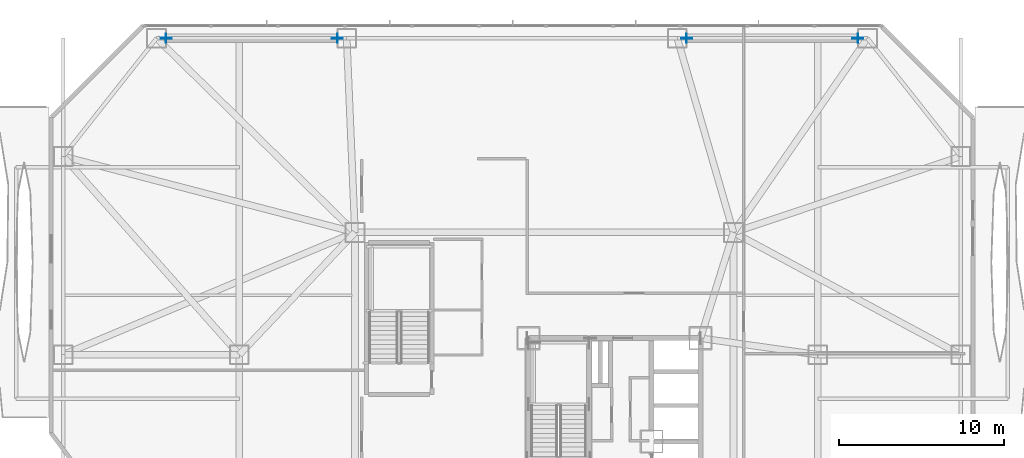
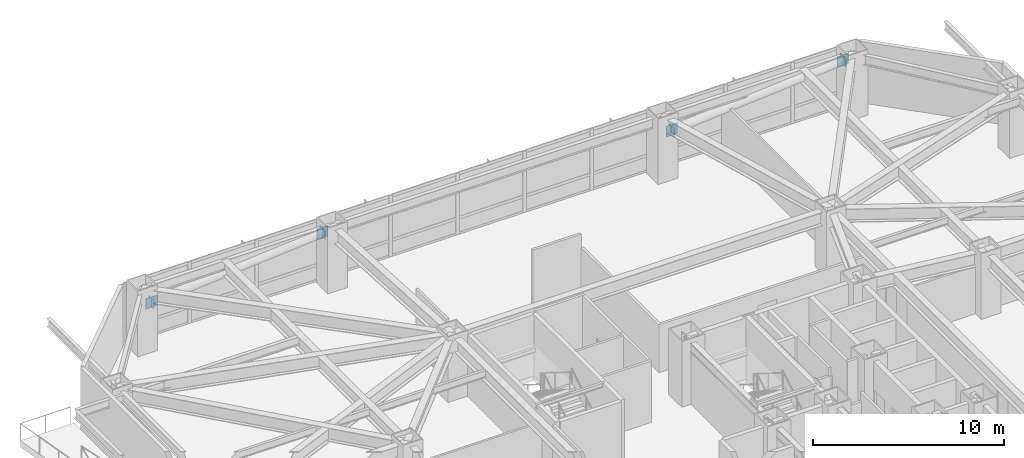
# One storey, part 15 of 24: 8 plates.
"""IFC4 building model written with IfcOpenShell, lengths in metres."""

from ifc_helpers import new_model, si_unit, direction, frame, origin, origin_2d, place, context, subcontext, project, spatial, rectangle, extrude, material, layer, layer_set, type_object, element, save


model = new_model("IFC4")

# Units and contexts
model_context = context("Model", 3, precision=1e-05, world=origin(), true_north=direction((0.0, 1.0)))
body_context = subcontext(model_context, "Body", "Model", "MODEL_VIEW")
ifc_project = project(units=[si_unit("LENGTHUNIT", "METRE"), si_unit("AREAUNIT", "SQUARE_METRE"), si_unit("VOLUMEUNIT", "CUBIC_METRE"), si_unit("PLANEANGLEUNIT", "RADIAN"), si_unit("MASSUNIT", "GRAM", prefix="KILO")], contexts=[model_context])

# Site, building, storey
site_placement = place(None, origin())
site = spatial("IfcSite", under=ifc_project, at=site_placement, CompositionType="ELEMENT")
building_placement = place(site_placement, origin())
building = spatial("IfcBuilding", under=site, at=building_placement, Name="Khamvora Tower", CompositionType="ELEMENT")
storey_placement = place(building_placement, frame((0.0, 0.0, 20.39990234375)))
storey = spatial("IfcBuildingStorey", under=building, at=storey_placement, Name="L04", CompositionType="ELEMENT", Elevation=20.39990234375)

# Plates
ifc_material_1 = material(Name="Steel S355", Category="steel")
ifc_layer_1 = layer(ifc_material_1, 0.02490234375)
ifc_layer_set_1 = layer_set([ifc_layer_1], Name="Steel S355")
plate_type_1 = type_object("IfcPlateType", Name="PL-CAP-25", PredefinedType="SHEET", material=ifc_layer_set_1)
for number, where, z_axis, x_axis, name in (
    (1, (7.06591796875, 55.14990234375, 2.44189453125), (0.0, 0.0, 1.0), (1.0, 0.0, 0.0), "L04 hollow section steel end cap plate 0440"),
    (2, (17.43408203125, 55.14990234375, 3.2822265625), (0.0, 0.0, 1.0), (1.0, 0.0, 0.0), "L04 hollow section steel end cap plate 0441"),
    (3, (38.56591796875, 55.14990234375, 2.44189453125), (0.0, 0.0, 1.0), (1.0, 0.0, 0.0), "L04 hollow section steel end cap plate 0442"),
    (4, (48.93408203125, 55.14990234375, 3.2822265625), (0.0, 0.0, 1.0), (1.0, 0.0, 0.0), "L04 hollow section steel end cap plate 0443"),
):
    element("IfcPlate", number, at=place(storey_placement, frame(where, z_axis=z_axis, x_axis=x_axis)), inside=storey, type_object=plate_type_1, Name=name, PredefinedType="SHEET", context=body_context, shape_type="SweptSolid", body=[
        extrude(rectangle(XDim=0.02490234375, YDim=0.568115234375, at=origin_2d()), origin(), (0.0, 0.0, 1.0), 0.568115234375),
    ])
ifc_material_2 = material(Name="Steel S460", Category="steel")
ifc_layer_2 = layer(ifc_material_2, 0.0400390625)
ifc_layer_set_2 = layer_set([ifc_layer_2], Name="Steel S460")
plate_type_2 = type_object("IfcPlateType", Name="PLT-GUS-40", PredefinedType="SHEET", material=ifc_layer_set_2)
for number, where, z_axis, x_axis, name in (
    (5, (7.077880859375, 55.14990234375, 2.38720703125), (0.0, 0.0, 1.0), (1.0, 0.0, 0.0), "L04 brace connection node gusset plate 0053"),
    (6, (17.422119140625, 55.14990234375, 3.22509765625), (0.0, 0.0, 1.0), (1.0, 0.0, 0.0), "L04 brace connection node gusset plate 0054"),
    (7, (38.577880859375, 55.14990234375, 2.38720703125), (0.0, 0.0, 1.0), (1.0, 0.0, 0.0), "L04 brace connection node gusset plate 0055"),
    (8, (48.922119140625, 55.14990234375, 3.22509765625), (0.0, 0.0, 1.0), (1.0, 0.0, 0.0), "L04 brace connection node gusset plate 0056"),
):
    element("IfcPlate", number, at=place(storey_placement, frame(where, z_axis=z_axis, x_axis=x_axis)), inside=storey, type_object=plate_type_2, Name=name, PredefinedType="SHEET", context=body_context, shape_type="SweptSolid", body=[
        extrude(rectangle(XDim=0.679931640625, YDim=0.0400390625, at=origin_2d()), origin(), (0.0, 0.0, 1.0), 0.679931640625),
    ])

save(model, "model.ifc")
